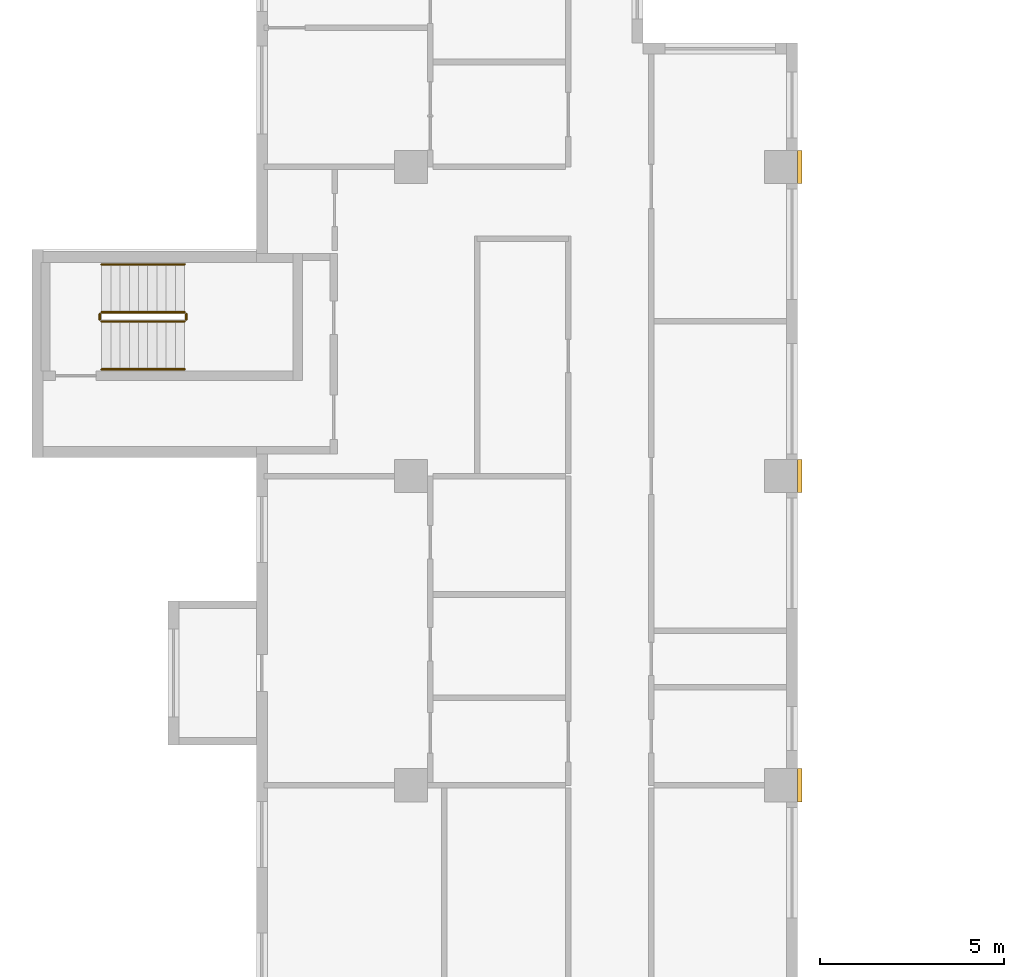
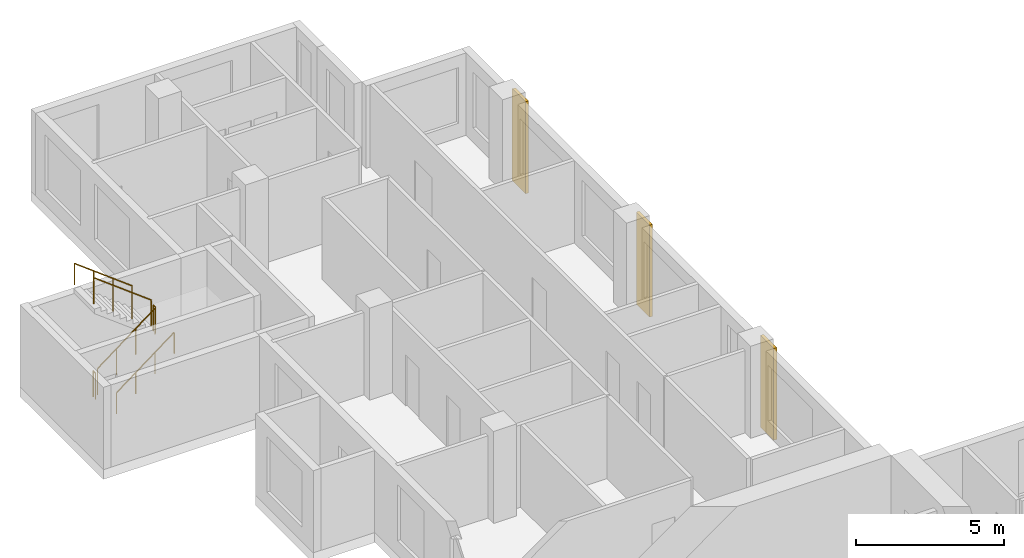
# One storey, part 12 of 12: 6 railings, 3 coverings.
"""IFC4 building model written with IfcOpenShell, lengths in metres."""

from ifc_helpers import new_model, si_unit, direction, frame, origin, origin_2d, place, context, subcontext, project, spatial, rectangle, circle, extrude, source, transform, mapped, material, type_object, element, save


model = new_model("IFC4")

# Units and contexts
model_context = context("Model", 3, precision=1e-05, world=origin(), true_north=direction((0.0, 1.0)))
body_context = subcontext(model_context, "Body", "Model", "MODEL_VIEW")
ifc_project = project(units=[si_unit("LENGTHUNIT", "METRE"), si_unit("AREAUNIT", "SQUARE_METRE"), si_unit("VOLUMEUNIT", "CUBIC_METRE"), si_unit("PLANEANGLEUNIT", "RADIAN"), si_unit("MASSUNIT", "GRAM", prefix="KILO")], contexts=[model_context])

# Site, building, storey
site_placement = place(None, origin())
site = spatial("IfcSite", under=ifc_project, at=site_placement, CompositionType="ELEMENT")
building_placement = place(site_placement, origin())
building = spatial("IfcBuilding", under=site, at=building_placement, Name="Aurelian Terraces", CompositionType="ELEMENT")
storey_placement = place(building_placement, frame((0.0, 0.0, 196.8)))
storey = spatial("IfcBuildingStorey", under=building, at=storey_placement, Name="L43", CompositionType="ELEMENT", Elevation=196.8)

# Coverings
ifc_material_1 = material(Name="Terracotta rainscreen cladding relief", Category="masonry")
covering_type = type_object("IfcCoveringType", Name="BAGUETTE-TC", PredefinedType="CLADDING", material=ifc_material_1)
shared_shape_1 = source(origin(), body_context, "Body", "SweptSolid", [
    extrude(rectangle(XDim=0.12, YDim=0.9, at=origin_2d()), origin(), (0.0, 0.0, 1.0), 3.8),
])
for number, where, z_axis, x_axis, name in (
    (1, (21.06, 29.4, -0.4), (0.0, 0.0, 1.0), (1.0, 0.0, 0.0), "BAGUETTE pier L43 7"),
    (2, (21.06, 37.8, -0.4), (0.0, 0.0, 1.0), (1.0, 0.0, 0.0), "BAGUETTE pier L43 8"),
    (3, (21.06, 46.2, -0.4), (0.0, 0.0, 1.0), (1.0, 0.0, 0.0), "BAGUETTE pier L43 9"),
):
    element("IfcCovering", number, at=place(storey_placement, frame(where, z_axis=z_axis, x_axis=x_axis)), inside=storey, type_object=covering_type, Name=name, PredefinedType="CLADDING", context=body_context, shape_type="MappedRepresentation", body=[
        mapped(shared_shape_1, transform((0.0, 0.0, 0.0), scale=1.0)),
    ])

# Railings
ifc_material_2 = material(Name="Stainless steel", Category="steel")
railing_type_1 = type_object("IfcRailingType", Name="Stair guard 1100", PredefinedType="GUARDRAIL", material=ifc_material_2)
shared_shape_2 = source(origin(), body_context, "Body", "SweptSolid", [
    extrude(circle(Radius=0.024, at=origin_2d()), frame((0.0, 0.0, 1.076), z_axis=(0.0, 1.0, 0.0), x_axis=(-1.0, 0.0, 0.0)), (0.0, 0.0, 1.0), 0.15),
    extrude(circle(Radius=0.021, at=origin_2d()), origin(), (0.0, 0.0, 1.0), 1.052),
    extrude(circle(Radius=0.021, at=origin_2d()), frame((0.0, 0.15, 0.0)), (0.0, 0.0, 1.0), 1.052),
])
for number, where, name in (
    (4, (4.4, 42.05, 1.9), "L43 S3 stair guard 2"),
    (5, (2.05, 42.05, 0.0), "L43 S3 stair guard 4"),
):
    element("IfcRailing", number, at=place(storey_placement, frame(where)), inside=storey, type_object=railing_type_1, Name=name, PredefinedType="GUARDRAIL", context=body_context, shape_type="MappedRepresentation", body=[
        mapped(shared_shape_2, transform((0.0, 0.0, 0.0), scale=1.0)),
    ])
shared_shape_3 = source(origin(), body_context, "Body", "SweptSolid", [
    extrude(circle(Radius=0.024, at=origin_2d()), frame((0.0, 0.0, 1.076), z_axis=(0.796162194123, 0.0, 0.605083267534), x_axis=(0.0, 1.0, 0.0)), (0.0, 0.0, 1.0), 2.8261),
    extrude(circle(Radius=0.021, at=origin_2d()), origin(), (0.0, 0.0, 1.0), 1.052),
    extrude(circle(Radius=0.021, at=origin_2d()), frame((0.75, 0.0, 0.57)), (0.0, 0.0, 1.0), 1.052),
    extrude(circle(Radius=0.021, at=origin_2d()), frame((1.5, 0.0, 1.14)), (0.0, 0.0, 1.0), 1.052),
    extrude(circle(Radius=0.021, at=origin_2d()), frame((2.25, 0.0, 1.71)), (0.0, 0.0, 1.0), 1.052),
])
railing_1_placement = place(storey_placement, frame((2.1, 42.0, 0.19)))
element("IfcRailing", 6, at=railing_1_placement, inside=storey, type_object=railing_type_1, Name="L43 S3 stair guard 1", PredefinedType="GUARDRAIL", context=body_context, shape_type="MappedRepresentation", body=[
    mapped(shared_shape_3, transform((0.0, 0.0, 0.0), scale=1.0)),
])
shared_shape_4 = source(origin(), body_context, "Body", "SweptSolid", [
    extrude(circle(Radius=0.024, at=origin_2d()), frame((0.0, 0.0, 1.076), z_axis=(-0.796162194123, 0.0, 0.605083267534), x_axis=(0.0, -1.0, 0.0)), (0.0, 0.0, 1.0), 2.8261),
    extrude(circle(Radius=0.021, at=origin_2d()), origin(), (0.0, 0.0, 1.0), 1.052),
    extrude(circle(Radius=0.021, at=origin_2d()), frame((-0.75, 0.0, 0.57)), (0.0, 0.0, 1.0), 1.052),
    extrude(circle(Radius=0.021, at=origin_2d()), frame((-1.5, 0.0, 1.14)), (0.0, 0.0, 1.0), 1.052),
    extrude(circle(Radius=0.021, at=origin_2d()), frame((-2.25, 0.0, 1.71)), (0.0, 0.0, 1.0), 1.052),
])
railing_2_placement = place(storey_placement, frame((4.35, 42.25, 2.09)))
element("IfcRailing", 7, at=railing_2_placement, inside=storey, type_object=railing_type_1, Name="L43 S3 stair guard 3", PredefinedType="GUARDRAIL", context=body_context, shape_type="MappedRepresentation", body=[
    mapped(shared_shape_4, transform((0.0, 0.0, 0.0), scale=1.0)),
])
railing_type_2 = type_object("IfcRailingType", Name="Stair handrail", PredefinedType="HANDRAIL", material=ifc_material_2)
shared_shape_5 = source(origin(), body_context, "Body", "SweptSolid", [
    extrude(circle(Radius=0.024, at=origin_2d()), frame((0.0, 0.0, 0.876), z_axis=(0.796162194123, 0.0, 0.605083267534), x_axis=(0.0, 1.0, 0.0)), (0.0, 0.0, 1.0), 2.8261),
    extrude(circle(Radius=0.021, at=origin_2d()), origin(), (0.0, 0.0, 1.0), 0.852),
    extrude(circle(Radius=0.021, at=origin_2d()), frame((0.75, 0.0, 0.57)), (0.0, 0.0, 1.0), 0.852),
    extrude(circle(Radius=0.021, at=origin_2d()), frame((1.5, 0.0, 1.14)), (0.0, 0.0, 1.0), 0.852),
    extrude(circle(Radius=0.021, at=origin_2d()), frame((2.25, 0.0, 1.71)), (0.0, 0.0, 1.0), 0.852),
])
railing_3_placement = place(storey_placement, frame((2.1, 40.7, 0.19)))
element("IfcRailing", 8, at=railing_3_placement, inside=storey, type_object=railing_type_2, Name="L43 S3 stair handrail 1", PredefinedType="HANDRAIL", context=body_context, shape_type="MappedRepresentation", body=[
    mapped(shared_shape_5, transform((0.0, 0.0, 0.0), scale=1.0)),
])
shared_shape_6 = source(origin(), body_context, "Body", "SweptSolid", [
    extrude(circle(Radius=0.024, at=origin_2d()), frame((0.0, 0.0, 0.876), z_axis=(-0.796162194123, 0.0, 0.605083267534), x_axis=(0.0, -1.0, 0.0)), (0.0, 0.0, 1.0), 2.8261),
    extrude(circle(Radius=0.021, at=origin_2d()), origin(), (0.0, 0.0, 1.0), 0.852),
    extrude(circle(Radius=0.021, at=origin_2d()), frame((-0.75, 0.0, 0.57)), (0.0, 0.0, 1.0), 0.852),
    extrude(circle(Radius=0.021, at=origin_2d()), frame((-1.5, 0.0, 1.14)), (0.0, 0.0, 1.0), 0.852),
    extrude(circle(Radius=0.021, at=origin_2d()), frame((-2.25, 0.0, 1.71)), (0.0, 0.0, 1.0), 0.852),
])
railing_4_placement = place(storey_placement, frame((4.35, 43.55, 2.09)))
element("IfcRailing", 9, at=railing_4_placement, inside=storey, type_object=railing_type_2, Name="L43 S3 stair handrail 2", PredefinedType="HANDRAIL", context=body_context, shape_type="MappedRepresentation", body=[
    mapped(shared_shape_6, transform((0.0, 0.0, 0.0), scale=1.0)),
])

save(model, "model.ifc")
